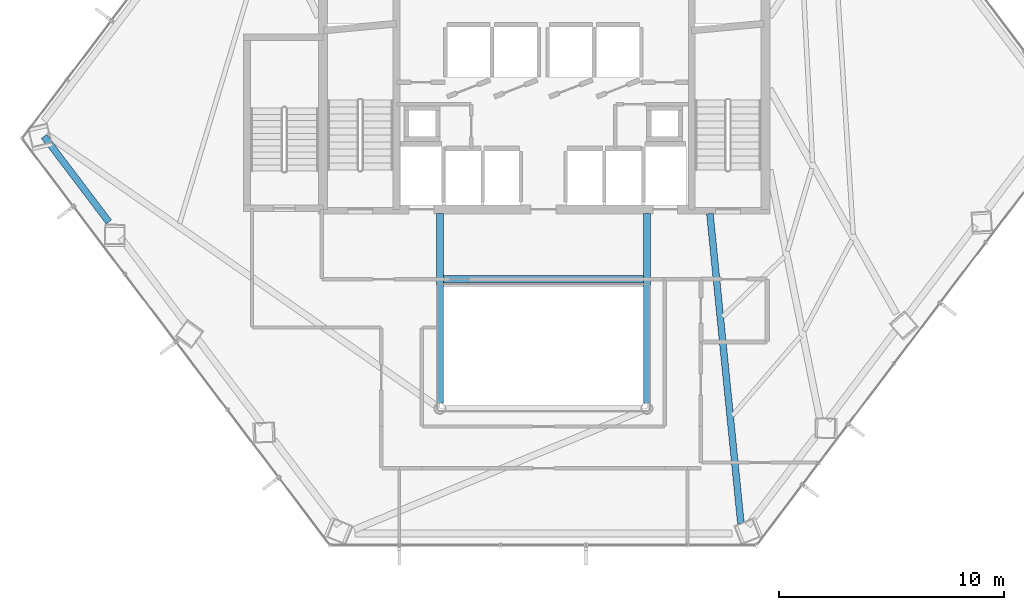
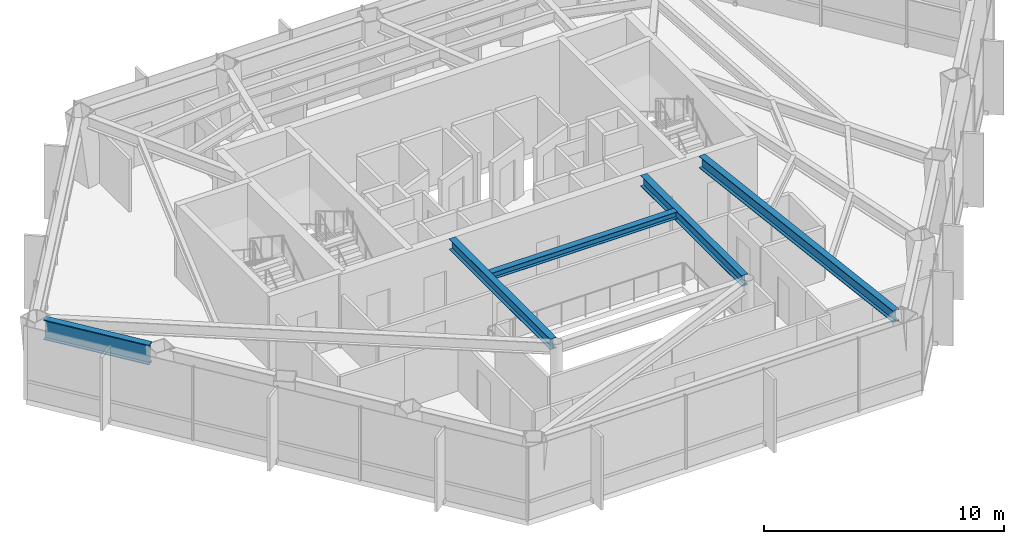
# One storey, part 9 of 25: 5 beams.
"""IFC4 building model written with IfcOpenShell, lengths in metres."""

from ifc_helpers import new_model, si_unit, direction, frame, origin, origin_2d, place, context, subcontext, project, spatial, i_section, extrude, material, material_profile, profile_set, type_object, element, save


model = new_model("IFC4")

# Units and contexts
model_context = context("Model", 3, precision=1e-05, world=origin(), true_north=direction((0.0, 1.0)))
body_context = subcontext(model_context, "Body", "Model", "MODEL_VIEW")
ifc_project = project(units=[si_unit("LENGTHUNIT", "METRE"), si_unit("AREAUNIT", "SQUARE_METRE"), si_unit("VOLUMEUNIT", "CUBIC_METRE"), si_unit("PLANEANGLEUNIT", "RADIAN"), si_unit("MASSUNIT", "GRAM", prefix="KILO")], contexts=[model_context])

# Site, building, storey
site_placement = place(None, origin())
site = spatial("IfcSite", under=ifc_project, at=site_placement, CompositionType="ELEMENT")
building_placement = place(site_placement, origin())
building = spatial("IfcBuilding", under=site, at=building_placement, Name="Zarrinselat Tower", CompositionType="ELEMENT")
storey_placement = place(building_placement, frame((0.0, 0.0, 105.06005859375)))
storey = spatial("IfcBuildingStorey", under=building, at=storey_placement, Name="L25", CompositionType="ELEMENT", Elevation=105.06005859375)

# Beams
ifc_material_1 = material(Name="Steel S355J2", Category="steel")
ifc_material_profile_1 = material_profile(ifc_material_1, i_section(OverallWidth=0.300048828125, OverallDepth=0.35009765625, WebThickness=0.010009765625, FlangeThickness=0.017578125, at=origin_2d()), Name="HEA 360")
ifc_profile_set_1 = profile_set([ifc_material_profile_1], Name="Steel S355J2")
beam_type_1 = type_object("IfcBeamType", Name="BM-HEA360", PredefinedType="LINTEL", material=ifc_profile_set_1)
beam_1_placement = place(storey_placement, frame((33.93994140625, 30.14990234375, 3.554931640625), z_axis=(1.0, 0.0, 0.0), x_axis=(0.0, 1.0, 0.0)))
element("IfcBeam", 1, at=beam_1_placement, inside=storey, type_object=beam_type_1, Name="L25 Lift Lobby Ceiling Beam", PredefinedType="LINTEL", context=body_context, shape_type="SweptSolid", body=[
    extrude(i_section(OverallWidth=0.300048828125, OverallDepth=0.35009765625, WebThickness=0.010009765625, FlangeThickness=0.017578125, at=origin_2d()), origin(), (0.0, 0.0, 1.0), 8.920166015625),
])
ifc_material_2 = material(Name="Steel S355J2", Category="steel")
ifc_material_profile_2 = material_profile(ifc_material_2, i_section(OverallWidth=0.300048828125, OverallDepth=0.550048828125, WebThickness=0.014892578125, FlangeThickness=0.029052734375, at=origin_2d()), Name="HEB 550")
ifc_profile_set_2 = profile_set([ifc_material_profile_2], Name="Steel S355J2")
beam_type_2 = type_object("IfcBeamType", Name="BM-HEB550", PredefinedType="BEAM", material=ifc_profile_set_2)
for number, where, z_axis, x_axis, name in (
    (2, (33.800048828125, 24.639892578125, 3.454833984375), (0.0, 1.0, 0.0), (-1.0, 0.0, 0.0), "L25 Atrium Edge Beam W"),
    (3, (43.0, 24.639892578125, 3.454833984375), (0.0, 1.0, 0.0), (-1.0, 0.0, 0.0), "L25 Atrium Edge Beam E"),
):
    element("IfcBeam", number, at=place(storey_placement, frame(where, z_axis=z_axis, x_axis=x_axis)), inside=storey, type_object=beam_type_2, Name=name, PredefinedType="BEAM", context=body_context, shape_type="SweptSolid", body=[
        extrude(i_section(OverallWidth=0.300048828125, OverallDepth=0.550048828125, WebThickness=0.014892578125, FlangeThickness=0.029052734375, at=origin_2d()), origin(), (0.0, 0.0, 1.0), 8.420166015625),
    ])
ifc_material_3 = material(Name="Steel S355J2", Category="steel")
ifc_material_profile_3 = material_profile(ifc_material_3, i_section(OverallWidth=0.300048828125, OverallDepth=0.60009765625, WebThickness=0.015380859375, FlangeThickness=0.030029296875, at=origin_2d()), Name="HEB 600")
ifc_profile_set_3 = profile_set([ifc_material_profile_3], Name="Steel S355J2")
beam_type_3 = type_object("IfcBeamType", Name="BM-HEB600", PredefinedType="BEAM", material=ifc_profile_set_3)
beam_2_placement = place(storey_placement, frame((45.800048828125, 33.06005859375, 3.429931640625), z_axis=(0.099430342936, -0.995044525086, 0.0), x_axis=(0.995044525086, 0.099430342936, 0.0)))
element("IfcBeam", 4, at=beam_2_placement, inside=storey, type_object=beam_type_3, Name="L25 Radial Primary Girder RG11", PredefinedType="BEAM", context=body_context, shape_type="SweptSolid", body=[
    extrude(i_section(OverallWidth=0.300048828125, OverallDepth=0.60009765625, WebThickness=0.015380859375, FlangeThickness=0.030029296875, at=origin_2d()), origin(), (0.0, 0.0, 1.0), 13.836181640625),
])
ifc_material_4 = material(Name="Steel S460M", Category="steel")
ifc_material_profile_4 = material_profile(ifc_material_4, i_section(OverallWidth=0.302001953125, OverallDepth=1.008056640625, WebThickness=0.02099609375, FlangeThickness=0.0400390625, at=origin_2d()), Name="HEM 1000")
ifc_profile_set_4 = profile_set([ifc_material_profile_4], Name="Steel S460M")
beam_type_4 = type_object("IfcBeamType", Name="BM-HEM1000", PredefinedType="BEAM", material=ifc_profile_set_4)
beam_3_placement = place(storey_placement, frame((16.211181640625, 36.48876953125, 3.225830078125), z_axis=(0.603851772902, -0.797096629251, 0.0), x_axis=(0.797096629251, 0.603851772902, 0.0)))
element("IfcBeam", 5, at=beam_3_placement, inside=storey, type_object=beam_type_4, Name="L25 Perimeter Spandrel Girder SP06", PredefinedType="BEAM", context=body_context, shape_type="SweptSolid", body=[
    extrude(i_section(OverallWidth=0.302001953125, OverallDepth=1.008056640625, WebThickness=0.02099609375, FlangeThickness=0.0400390625, at=origin_2d()), origin(), (0.0, 0.0, 1.0), 4.76806640625),
])

save(model, "model.ifc")
